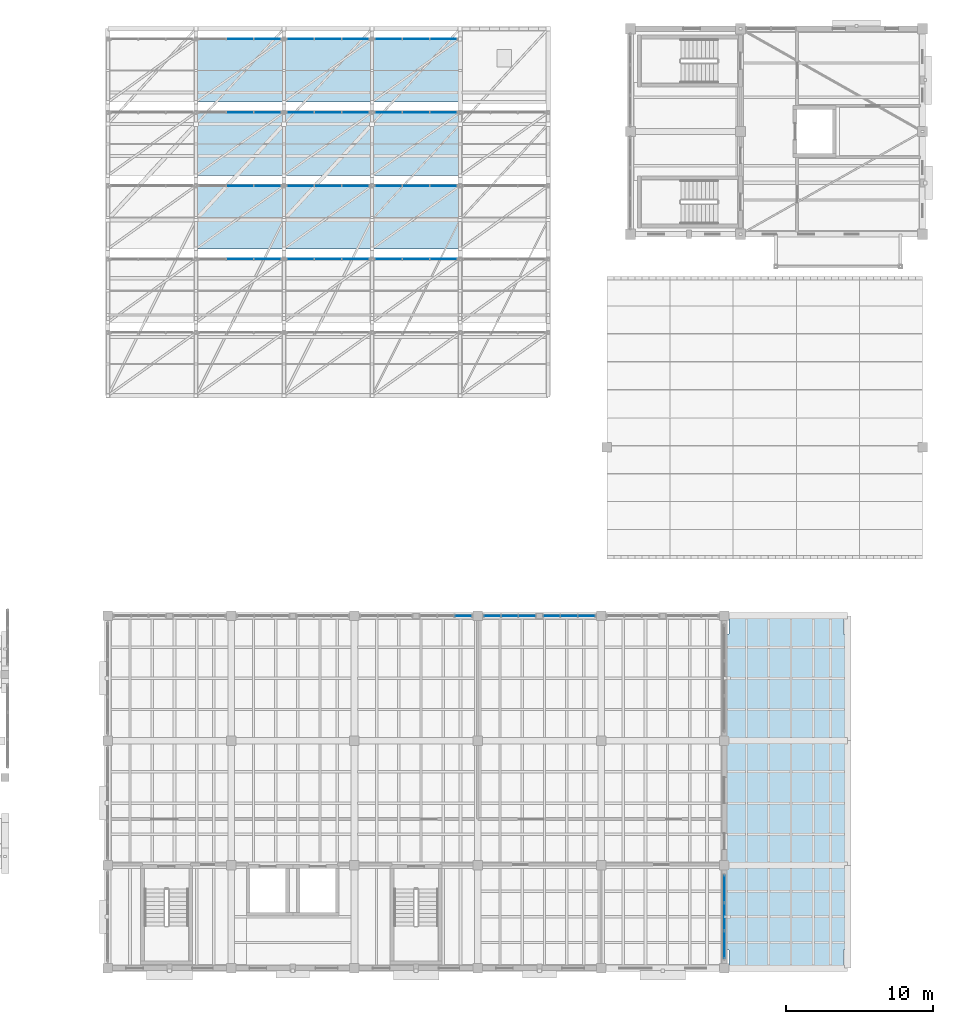
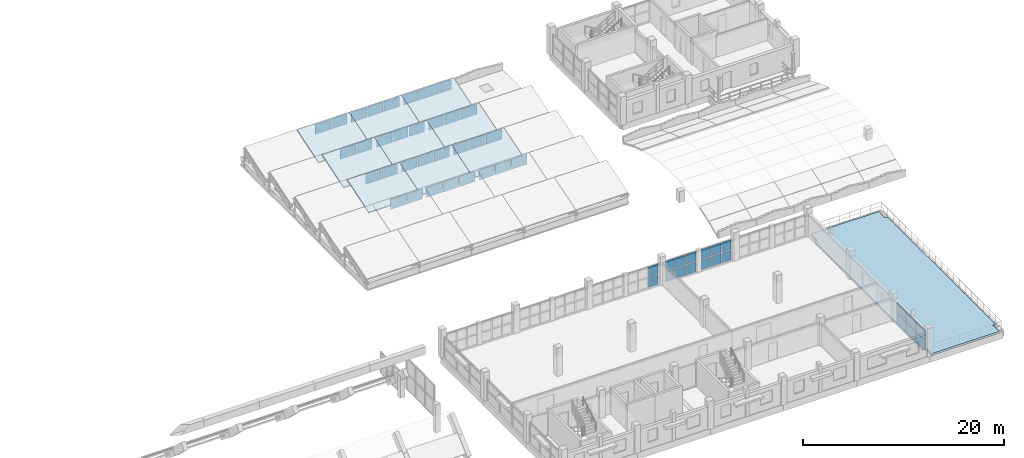
# One storey, part 27 of 48: 52 plates, 10 slabs, 16 elements without a shape of their own.
"""IFC4 building model written with IfcOpenShell, lengths in metres."""

from ifc_helpers import new_model, si_unit, direction, frame, origin, origin_2d, place, context, subcontext, project, spatial, polyline, rectangle, outline, extrude, material, layer, layer_set, type_object, element, aggregate, save


model = new_model("IFC4")

# Units and contexts
model_context = context("Model", 3, precision=1e-05, world=origin(), true_north=direction((0.0, 1.0)))
body_context = subcontext(model_context, "Body", "Model", "MODEL_VIEW")
ifc_project = project(units=[si_unit("LENGTHUNIT", "METRE"), si_unit("AREAUNIT", "SQUARE_METRE"), si_unit("VOLUMEUNIT", "CUBIC_METRE"), si_unit("PLANEANGLEUNIT", "RADIAN"), si_unit("MASSUNIT", "GRAM", prefix="KILO")], contexts=[model_context])

# Site, building, storey
site_placement = place(None, origin())
site = spatial("IfcSite", under=ifc_project, at=site_placement, CompositionType="ELEMENT")
building_placement = place(site_placement, origin())
building = spatial("IfcBuilding", under=site, at=building_placement, Name="Trellovar Central Fire Station", CompositionType="ELEMENT")
storey_placement = place(building_placement, frame((0.0, 0.0, 9.300048828125)))
storey = spatial("IfcBuildingStorey", under=building, at=storey_placement, Name="L03", CompositionType="ELEMENT", Elevation=9.300048828125)

# Curtain wall, plate
ifc_material_1 = material(Name="Thermally broken bronze anodized aluminum", Category="aluminium")
ifc_layer_1 = layer(ifc_material_1, 0.159912109375)
ifc_layer_set_1 = layer_set([ifc_layer_1], Name="Thermally broken bronze anodized aluminum")
curtain_wall_type_1 = type_object("IfcCurtainWallType", Name="CW-09", PredefinedType="NOTDEFINED", material=ifc_layer_set_1)
curtain_wall_1_placement = place(storey_placement, origin())
curtain_wall_1 = element("IfcCurtainWall", 1, at=curtain_wall_1_placement, inside=storey, type_object=curtain_wall_type_1, Name="L03 curtain wall CW-9", PredefinedType="NOTDEFINED")
ifc_material_2 = material(Name="Double low-E solar control insulated glazing", Category="glass")
ifc_layer_2 = layer(ifc_material_2, 0.031982421875)
ifc_layer_set_2 = layer_set([ifc_layer_2], Name="Double low-E solar control insulated glazing")
plate_type_1 = type_object("IfcPlateType", Name="CWP-GL1", PredefinedType="CURTAIN_PANEL", material=ifc_layer_set_2)
plate_1_placement = place(storey_placement, frame((136.925048828125, 33.0, 1.31494140625), z_axis=(0.0, 0.0, 1.0), x_axis=(-1.0, 0.0, 0.0)))
plate_1 = element("IfcPlate", 2, at=plate_1_placement, type_object=plate_type_1, Name="CW3-L03-0082 panel 2-2", PredefinedType="CURTAIN_PANEL", context=body_context, shape_type="SweptSolid", body=[
    extrude(rectangle(XDim=1.103515625, YDim=0.031982421875, at=origin_2d()), origin(), (0.0, 0.0, 1.0), 1.195068359375),
])

ifc_material_3 = material(Name="Thermally broken bronze anodized aluminum", Category="aluminium")
ifc_layer_3 = layer(ifc_material_3, 0.159912109375)
ifc_layer_set_3 = layer_set([ifc_layer_3], Name="Thermally broken bronze anodized aluminum")
curtain_wall_type_2 = type_object("IfcCurtainWallType", Name="CW-10", PredefinedType="NOTDEFINED", material=ifc_layer_set_3)
curtain_wall_2_placement = place(storey_placement, origin())
curtain_wall_2 = element("IfcCurtainWall", 3, at=curtain_wall_2_placement, inside=storey, type_object=curtain_wall_type_2, Name="L03 curtain wall CW-10", PredefinedType="NOTDEFINED")
plate_2_placement = place(storey_placement, frame((134.058349609375, 33.0, 1.31494140625), z_axis=(0.0, 0.0, 1.0), x_axis=(-1.0, 0.0, 0.0)))
plate_2 = element("IfcPlate", 4, at=plate_2_placement, type_object=plate_type_1, Name="CW3-L03-0083 panel 1-2", PredefinedType="CURTAIN_PANEL", context=body_context, shape_type="SweptSolid", body=[
    extrude(rectangle(XDim=1.103271484375, YDim=0.031982421875, at=origin_2d()), origin(), (0.0, 0.0, 1.0), 1.195068359375),
])

ifc_material_4 = material(Name="Thermally broken bronze anodized aluminum", Category="aluminium")
ifc_layer_4 = layer(ifc_material_4, 0.159912109375)
ifc_layer_set_4 = layer_set([ifc_layer_4], Name="Thermally broken bronze anodized aluminum")
curtain_wall_type_3 = type_object("IfcCurtainWallType", Name="CW-01", PredefinedType="NOTDEFINED", material=ifc_layer_set_4)
curtain_wall_3_placement = place(storey_placement, origin())
curtain_wall_3 = element("IfcCurtainWall", 5, at=curtain_wall_3_placement, inside=storey, type_object=curtain_wall_type_3, Name="L03 curtain wall CW-1", PredefinedType="NOTDEFINED")
plate_3_placement = place(storey_placement, frame((147.5, 14.39990234375, 1.31494140625), z_axis=(0.0, 0.0, 1.0), x_axis=(0.0, 1.0, 0.0)))
plate_3 = element("IfcPlate", 6, at=plate_3_placement, type_object=plate_type_1, Name="CW3-L03-0089 panel 3-2", PredefinedType="CURTAIN_PANEL", context=body_context, shape_type="SweptSolid", body=[
    extrude(rectangle(XDim=1.820068359375, YDim=0.031982421875, at=origin_2d()), origin(), (0.0, 0.0, 1.0), 1.195068359375),
])

ifc_material_5 = material(Name="Thermally broken bronze anodized aluminum", Category="aluminium")
ifc_layer_5 = layer(ifc_material_5, 0.159912109375)
ifc_layer_set_5 = layer_set([ifc_layer_5], Name="Thermally broken bronze anodized aluminum")
curtain_wall_type_4 = type_object("IfcCurtainWallType", Name="CW-06", PredefinedType="NOTDEFINED", material=ifc_layer_set_5)
curtain_wall_4_placement = place(storey_placement, origin())
curtain_wall_4 = element("IfcCurtainWall", 7, at=curtain_wall_4_placement, inside=storey, type_object=curtain_wall_type_4, Name="V6 sawtooth north-light monitor 2-2", PredefinedType="NOTDEFINED")
plate_4_placement = place(storey_placement, frame((116.36669921875, 57.300048828125, 0.2197265625), z_axis=(0.0, 0.0, 1.0), x_axis=(-1.0, 0.0, 0.0)))
plate_4 = element("IfcPlate", 8, at=plate_4_placement, type_object=plate_type_1, Name="CW3-L03-0116 panel 1-1", PredefinedType="CURTAIN_PANEL", context=body_context, shape_type="SweptSolid", body=[
    extrude(rectangle(XDim=1.78662109375, YDim=0.031982421875, at=origin_2d()), origin(), (0.0, 0.0, 1.0), 1.219970703125),
])

curtain_wall_5_placement = place(storey_placement, origin())
curtain_wall_5 = element("IfcCurtainWall", 9, at=curtain_wall_5_placement, inside=storey, type_object=curtain_wall_type_4, Name="V6 sawtooth north-light monitor 5-2", PredefinedType="NOTDEFINED")
plate_5_placement = place(storey_placement, frame((114.5, 72.300048828125, 0.2197265625), z_axis=(0.0, 0.0, 1.0), x_axis=(-1.0, 0.0, 0.0)))
plate_5 = element("IfcPlate", 10, at=plate_5_placement, type_object=plate_type_1, Name="CW3-L03-0119 panel 2-1", PredefinedType="CURTAIN_PANEL", context=body_context, shape_type="SweptSolid", body=[
    extrude(rectangle(XDim=1.78662109375, YDim=0.031982421875, at=origin_2d()), origin(), (0.0, 0.0, 1.0), 1.219970703125),
])

curtain_wall_6_placement = place(storey_placement, origin())
curtain_wall_6 = element("IfcCurtainWall", 11, at=curtain_wall_6_placement, inside=storey, type_object=curtain_wall_type_4, Name="V6 sawtooth north-light monitor 2-3", PredefinedType="NOTDEFINED")
plate_6_placement = place(storey_placement, frame((122.36669921875, 57.300048828125, 0.2197265625), z_axis=(0.0, 0.0, 1.0), x_axis=(-1.0, 0.0, 0.0)))
plate_6 = element("IfcPlate", 12, at=plate_6_placement, type_object=plate_type_1, Name="CW3-L03-0124 panel 1-1", PredefinedType="CURTAIN_PANEL", context=body_context, shape_type="SweptSolid", body=[
    extrude(rectangle(XDim=1.78662109375, YDim=0.031982421875, at=origin_2d()), origin(), (0.0, 0.0, 1.0), 1.219970703125),
])

curtain_wall_7_placement = place(storey_placement, origin())
curtain_wall_7 = element("IfcCurtainWall", 13, at=curtain_wall_7_placement, inside=storey, type_object=curtain_wall_type_4, Name="V6 sawtooth north-light monitor 4-3", PredefinedType="NOTDEFINED")
plate_7_placement = place(storey_placement, frame((118.63330078125, 67.300048828125, 0.2197265625), z_axis=(0.0, 0.0, 1.0), x_axis=(-1.0, 0.0, 0.0)))
plate_7 = element("IfcPlate", 14, at=plate_7_placement, type_object=plate_type_1, Name="CW3-L03-0126 panel 3-1", PredefinedType="CURTAIN_PANEL", context=body_context, shape_type="SweptSolid", body=[
    extrude(rectangle(XDim=1.78662109375, YDim=0.031982421875, at=origin_2d()), origin(), (0.0, 0.0, 1.0), 1.219970703125),
])

curtain_wall_8_placement = place(storey_placement, origin())
curtain_wall_8 = element("IfcCurtainWall", 15, at=curtain_wall_8_placement, inside=storey, type_object=curtain_wall_type_4, Name="V6 sawtooth north-light monitor 5-3", PredefinedType="NOTDEFINED")
plate_8_placement = place(storey_placement, frame((120.5, 72.300048828125, 0.2197265625), z_axis=(0.0, 0.0, 1.0), x_axis=(-1.0, 0.0, 0.0)))
plate_8 = element("IfcPlate", 16, at=plate_8_placement, type_object=plate_type_1, Name="CW3-L03-0127 panel 2-1", PredefinedType="CURTAIN_PANEL", context=body_context, shape_type="SweptSolid", body=[
    extrude(rectangle(XDim=1.78662109375, YDim=0.031982421875, at=origin_2d()), origin(), (0.0, 0.0, 1.0), 1.219970703125),
])

curtain_wall_9_placement = place(storey_placement, origin())
curtain_wall_9 = element("IfcCurtainWall", 17, at=curtain_wall_9_placement, inside=storey, type_object=curtain_wall_type_4, Name="V6 sawtooth north-light monitor 2-4", PredefinedType="NOTDEFINED")
plate_9_placement = place(storey_placement, frame((128.36669921875, 57.300048828125, 0.2197265625), z_axis=(0.0, 0.0, 1.0), x_axis=(-1.0, 0.0, 0.0)))
plate_9 = element("IfcPlate", 18, at=plate_9_placement, type_object=plate_type_1, Name="CW3-L03-0132 panel 1-1", PredefinedType="CURTAIN_PANEL", context=body_context, shape_type="SweptSolid", body=[
    extrude(rectangle(XDim=1.78662109375, YDim=0.031982421875, at=origin_2d()), origin(), (0.0, 0.0, 1.0), 1.219970703125),
])

curtain_wall_10_placement = place(storey_placement, origin())
curtain_wall_10 = element("IfcCurtainWall", 19, at=curtain_wall_10_placement, inside=storey, type_object=curtain_wall_type_4, Name="V6 sawtooth north-light monitor 4-4", PredefinedType="NOTDEFINED")
plate_10_placement = place(storey_placement, frame((124.63330078125, 67.300048828125, 0.2197265625), z_axis=(0.0, 0.0, 1.0), x_axis=(-1.0, 0.0, 0.0)))
plate_10 = element("IfcPlate", 20, at=plate_10_placement, type_object=plate_type_1, Name="CW3-L03-0134 panel 3-1", PredefinedType="CURTAIN_PANEL", context=body_context, shape_type="SweptSolid", body=[
    extrude(rectangle(XDim=1.78662109375, YDim=0.031982421875, at=origin_2d()), origin(), (0.0, 0.0, 1.0), 1.219970703125),
])

curtain_wall_11_placement = place(storey_placement, origin())
curtain_wall_11 = element("IfcCurtainWall", 21, at=curtain_wall_11_placement, inside=storey, type_object=curtain_wall_type_4, Name="V6 sawtooth north-light monitor 5-4", PredefinedType="NOTDEFINED")
plate_11_placement = place(storey_placement, frame((126.5, 72.300048828125, 0.2197265625), z_axis=(0.0, 0.0, 1.0), x_axis=(-1.0, 0.0, 0.0)))
plate_11 = element("IfcPlate", 22, at=plate_11_placement, type_object=plate_type_1, Name="CW3-L03-0135 panel 2-1", PredefinedType="CURTAIN_PANEL", context=body_context, shape_type="SweptSolid", body=[
    extrude(rectangle(XDim=1.78662109375, YDim=0.031982421875, at=origin_2d()), origin(), (0.0, 0.0, 1.0), 1.219970703125),
])

curtain_wall_12_placement = place(storey_placement, origin())
curtain_wall_12 = element("IfcCurtainWall", 23, at=curtain_wall_12_placement, inside=storey, type_object=curtain_wall_type_1, Name="L03 curtain wall CW-9", PredefinedType="NOTDEFINED")
ifc_material_6 = material(Name="Double low-E solar control insulated glazing", Category="glass")
ifc_layer_6 = layer(ifc_material_6, 0.035888671875)
ifc_layer_set_6 = layer_set([ifc_layer_6], Name="Double low-E solar control insulated glazing")
plate_type_2 = type_object("IfcPlateType", Name="CWP-GL2", PredefinedType="CURTAIN_PANEL", material=ifc_layer_set_6)
plate_12_placement = place(storey_placement, frame((129.708251953125, 33.0, 1.31494140625), z_axis=(0.0, 0.0, 1.0), x_axis=(-1.0, 0.0, 0.0)))
plate_12 = element("IfcPlate", 24, at=plate_12_placement, type_object=plate_type_2, Name="CW3-L03-0080 panel 1-2", PredefinedType="CURTAIN_PANEL", context=body_context, shape_type="SweptSolid", body=[
    extrude(rectangle(XDim=1.103271484375, YDim=0.035888671875, at=origin_2d()), origin(), (0.0, 0.0, 1.0), 1.195068359375),
])

# Plate
plate_13_placement = place(storey_placement, frame((135.74169921875, 33.0, 1.31494140625), z_axis=(0.0, 0.0, 1.0), x_axis=(-1.0, 0.0, 0.0)))
plate_13 = element("IfcPlate", 25, at=plate_13_placement, type_object=plate_type_2, Name="CW3-L03-0082 panel 3-2", PredefinedType="CURTAIN_PANEL", context=body_context, shape_type="SweptSolid", body=[
    extrude(rectangle(XDim=1.103271484375, YDim=0.035888671875, at=origin_2d()), origin(), (0.0, 0.0, 1.0), 1.195068359375),
])

plate_14_placement = place(storey_placement, frame((132.875, 33.0, 1.31494140625), z_axis=(0.0, 0.0, 1.0), x_axis=(-1.0, 0.0, 0.0)))
plate_14 = element("IfcPlate", 26, at=plate_14_placement, type_object=plate_type_2, Name="CW3-L03-0083 panel 2-2", PredefinedType="CURTAIN_PANEL", context=body_context, shape_type="SweptSolid", body=[
    extrude(rectangle(XDim=1.103515625, YDim=0.035888671875, at=origin_2d()), origin(), (0.0, 0.0, 1.0), 1.195068359375),
])

plate_15_placement = place(storey_placement, frame((114.5, 57.300048828125, 0.2197265625), z_axis=(0.0, 0.0, 1.0), x_axis=(-1.0, 0.0, 0.0)))
plate_15 = element("IfcPlate", 27, at=plate_15_placement, type_object=plate_type_2, Name="CW3-L03-0116 panel 2-1", PredefinedType="CURTAIN_PANEL", context=body_context, shape_type="SweptSolid", body=[
    extrude(rectangle(XDim=1.78662109375, YDim=0.035888671875, at=origin_2d()), origin(), (0.0, 0.0, 1.0), 1.219970703125),
])

aggregate(curtain_wall_4, [plate_4, plate_15])

# Curtain wall, plate
curtain_wall_13_placement = place(storey_placement, origin())
curtain_wall_13 = element("IfcCurtainWall", 28, at=curtain_wall_13_placement, inside=storey, type_object=curtain_wall_type_4, Name="V6 sawtooth north-light monitor 3-2", PredefinedType="NOTDEFINED")
plate_16_placement = place(storey_placement, frame((116.36669921875, 62.300048828125, 0.2197265625), z_axis=(0.0, 0.0, 1.0), x_axis=(-1.0, 0.0, 0.0)))
plate_16 = element("IfcPlate", 29, at=plate_16_placement, type_object=plate_type_2, Name="CW3-L03-0117 panel 1-1", PredefinedType="CURTAIN_PANEL", context=body_context, shape_type="SweptSolid", body=[
    extrude(rectangle(XDim=1.78662109375, YDim=0.035888671875, at=origin_2d()), origin(), (0.0, 0.0, 1.0), 1.219970703125),
])

# Plate
plate_17_placement = place(storey_placement, frame((120.5, 57.300048828125, 0.2197265625), z_axis=(0.0, 0.0, 1.0), x_axis=(-1.0, 0.0, 0.0)))
plate_17 = element("IfcPlate", 30, at=plate_17_placement, type_object=plate_type_2, Name="CW3-L03-0124 panel 2-1", PredefinedType="CURTAIN_PANEL", context=body_context, shape_type="SweptSolid", body=[
    extrude(rectangle(XDim=1.78662109375, YDim=0.035888671875, at=origin_2d()), origin(), (0.0, 0.0, 1.0), 1.219970703125),
])

# Curtain wall, plate
curtain_wall_14_placement = place(storey_placement, origin())
curtain_wall_14 = element("IfcCurtainWall", 31, at=curtain_wall_14_placement, inside=storey, type_object=curtain_wall_type_4, Name="V6 sawtooth north-light monitor 3-3", PredefinedType="NOTDEFINED")
plate_18_placement = place(storey_placement, frame((122.36669921875, 62.300048828125, 0.2197265625), z_axis=(0.0, 0.0, 1.0), x_axis=(-1.0, 0.0, 0.0)))
plate_18 = element("IfcPlate", 32, at=plate_18_placement, type_object=plate_type_2, Name="CW3-L03-0125 panel 1-1", PredefinedType="CURTAIN_PANEL", context=body_context, shape_type="SweptSolid", body=[
    extrude(rectangle(XDim=1.78662109375, YDim=0.035888671875, at=origin_2d()), origin(), (0.0, 0.0, 1.0), 1.219970703125),
])

# Plate
plate_19_placement = place(storey_placement, frame((118.63330078125, 72.300048828125, 0.2197265625), z_axis=(0.0, 0.0, 1.0), x_axis=(-1.0, 0.0, 0.0)))
plate_19 = element("IfcPlate", 33, at=plate_19_placement, type_object=plate_type_2, Name="CW3-L03-0127 panel 3-1", PredefinedType="CURTAIN_PANEL", context=body_context, shape_type="SweptSolid", body=[
    extrude(rectangle(XDim=1.78662109375, YDim=0.035888671875, at=origin_2d()), origin(), (0.0, 0.0, 1.0), 1.219970703125),
])

plate_20_placement = place(storey_placement, frame((126.5, 57.300048828125, 0.2197265625), z_axis=(0.0, 0.0, 1.0), x_axis=(-1.0, 0.0, 0.0)))
plate_20 = element("IfcPlate", 34, at=plate_20_placement, type_object=plate_type_2, Name="CW3-L03-0132 panel 2-1", PredefinedType="CURTAIN_PANEL", context=body_context, shape_type="SweptSolid", body=[
    extrude(rectangle(XDim=1.78662109375, YDim=0.035888671875, at=origin_2d()), origin(), (0.0, 0.0, 1.0), 1.219970703125),
])

# Curtain wall, plate
curtain_wall_15_placement = place(storey_placement, origin())
curtain_wall_15 = element("IfcCurtainWall", 35, at=curtain_wall_15_placement, inside=storey, type_object=curtain_wall_type_4, Name="V6 sawtooth north-light monitor 3-4", PredefinedType="NOTDEFINED")
plate_21_placement = place(storey_placement, frame((128.36669921875, 62.300048828125, 0.2197265625), z_axis=(0.0, 0.0, 1.0), x_axis=(-1.0, 0.0, 0.0)))
plate_21 = element("IfcPlate", 36, at=plate_21_placement, type_object=plate_type_2, Name="CW3-L03-0133 panel 1-1", PredefinedType="CURTAIN_PANEL", context=body_context, shape_type="SweptSolid", body=[
    extrude(rectangle(XDim=1.78662109375, YDim=0.035888671875, at=origin_2d()), origin(), (0.0, 0.0, 1.0), 1.219970703125),
])

# Plate
plate_22_placement = place(storey_placement, frame((124.63330078125, 72.300048828125, 0.2197265625), z_axis=(0.0, 0.0, 1.0), x_axis=(-1.0, 0.0, 0.0)))
plate_22 = element("IfcPlate", 37, at=plate_22_placement, type_object=plate_type_2, Name="CW3-L03-0135 panel 3-1", PredefinedType="CURTAIN_PANEL", context=body_context, shape_type="SweptSolid", body=[
    extrude(rectangle(XDim=1.78662109375, YDim=0.035888671875, at=origin_2d()), origin(), (0.0, 0.0, 1.0), 1.219970703125),
])

ifc_material_7 = material(Name="Double low-E solar control insulated glazing", Category="glass")
ifc_layer_7 = layer(ifc_material_7, 0.033935546875)
ifc_layer_set_7 = layer_set([ifc_layer_7], Name="Double low-E solar control insulated glazing")
plate_type_3 = type_object("IfcPlateType", Name="CWP-GL3", PredefinedType="CURTAIN_PANEL", material=ifc_layer_set_7)
plate_23_placement = place(storey_placement, frame((131.691650390625, 33.0, 1.31494140625), z_axis=(0.0, 0.0, 1.0), x_axis=(-1.0, 0.0, 0.0)))
plate_23 = element("IfcPlate", 38, at=plate_23_placement, type_object=plate_type_3, Name="CW3-L03-0083 panel 3-2", PredefinedType="CURTAIN_PANEL", context=body_context, shape_type="SweptSolid", body=[
    extrude(rectangle(XDim=1.103271484375, YDim=0.033935546875, at=origin_2d()), origin(), (0.0, 0.0, 1.0), 1.195068359375),
])

plate_24_placement = place(storey_placement, frame((147.5, 10.60009765625, 1.31494140625), z_axis=(0.0, 0.0, 1.0), x_axis=(0.0, 1.0, 0.0)))
plate_24 = element("IfcPlate", 39, at=plate_24_placement, type_object=plate_type_3, Name="CW3-L03-0089 panel 1-2", PredefinedType="CURTAIN_PANEL", context=body_context, shape_type="SweptSolid", body=[
    extrude(rectangle(XDim=1.820068359375, YDim=0.033935546875, at=origin_2d()), origin(), (0.0, 0.0, 1.0), 1.195068359375),
])

plate_25_placement = place(storey_placement, frame((114.5, 62.300048828125, 0.2197265625), z_axis=(0.0, 0.0, 1.0), x_axis=(-1.0, 0.0, 0.0)))
plate_25 = element("IfcPlate", 40, at=plate_25_placement, type_object=plate_type_3, Name="CW3-L03-0117 panel 2-1", PredefinedType="CURTAIN_PANEL", context=body_context, shape_type="SweptSolid", body=[
    extrude(rectangle(XDim=1.78662109375, YDim=0.033935546875, at=origin_2d()), origin(), (0.0, 0.0, 1.0), 1.219970703125),
])

aggregate(curtain_wall_13, [plate_16, plate_25])

# Curtain wall, plate
curtain_wall_16_placement = place(storey_placement, origin())
curtain_wall_16 = element("IfcCurtainWall", 41, at=curtain_wall_16_placement, inside=storey, type_object=curtain_wall_type_4, Name="V6 sawtooth north-light monitor 4-2", PredefinedType="NOTDEFINED")
plate_26_placement = place(storey_placement, frame((116.36669921875, 67.300048828125, 0.2197265625), z_axis=(0.0, 0.0, 1.0), x_axis=(-1.0, 0.0, 0.0)))
plate_26 = element("IfcPlate", 42, at=plate_26_placement, type_object=plate_type_3, Name="CW3-L03-0118 panel 1-1", PredefinedType="CURTAIN_PANEL", context=body_context, shape_type="SweptSolid", body=[
    extrude(rectangle(XDim=1.78662109375, YDim=0.033935546875, at=origin_2d()), origin(), (0.0, 0.0, 1.0), 1.219970703125),
])

# Plate
plate_27_placement = place(storey_placement, frame((118.63330078125, 57.300048828125, 0.2197265625), z_axis=(0.0, 0.0, 1.0), x_axis=(-1.0, 0.0, 0.0)))
plate_27 = element("IfcPlate", 43, at=plate_27_placement, type_object=plate_type_3, Name="CW3-L03-0124 panel 3-1", PredefinedType="CURTAIN_PANEL", context=body_context, shape_type="SweptSolid", body=[
    extrude(rectangle(XDim=1.78662109375, YDim=0.033935546875, at=origin_2d()), origin(), (0.0, 0.0, 1.0), 1.219970703125),
])

aggregate(curtain_wall_6, [plate_6, plate_17, plate_27])

plate_28_placement = place(storey_placement, frame((120.5, 62.300048828125, 0.2197265625), z_axis=(0.0, 0.0, 1.0), x_axis=(-1.0, 0.0, 0.0)))
plate_28 = element("IfcPlate", 44, at=plate_28_placement, type_object=plate_type_3, Name="CW3-L03-0125 panel 2-1", PredefinedType="CURTAIN_PANEL", context=body_context, shape_type="SweptSolid", body=[
    extrude(rectangle(XDim=1.78662109375, YDim=0.033935546875, at=origin_2d()), origin(), (0.0, 0.0, 1.0), 1.219970703125),
])

plate_29_placement = place(storey_placement, frame((122.36669921875, 67.300048828125, 0.2197265625), z_axis=(0.0, 0.0, 1.0), x_axis=(-1.0, 0.0, 0.0)))
plate_29 = element("IfcPlate", 45, at=plate_29_placement, type_object=plate_type_3, Name="CW3-L03-0126 panel 1-1", PredefinedType="CURTAIN_PANEL", context=body_context, shape_type="SweptSolid", body=[
    extrude(rectangle(XDim=1.78662109375, YDim=0.033935546875, at=origin_2d()), origin(), (0.0, 0.0, 1.0), 1.219970703125),
])

plate_30_placement = place(storey_placement, frame((124.63330078125, 57.300048828125, 0.2197265625), z_axis=(0.0, 0.0, 1.0), x_axis=(-1.0, 0.0, 0.0)))
plate_30 = element("IfcPlate", 46, at=plate_30_placement, type_object=plate_type_3, Name="CW3-L03-0132 panel 3-1", PredefinedType="CURTAIN_PANEL", context=body_context, shape_type="SweptSolid", body=[
    extrude(rectangle(XDim=1.78662109375, YDim=0.033935546875, at=origin_2d()), origin(), (0.0, 0.0, 1.0), 1.219970703125),
])

aggregate(curtain_wall_9, [plate_9, plate_20, plate_30])

plate_31_placement = place(storey_placement, frame((126.5, 62.300048828125, 0.2197265625), z_axis=(0.0, 0.0, 1.0), x_axis=(-1.0, 0.0, 0.0)))
plate_31 = element("IfcPlate", 47, at=plate_31_placement, type_object=plate_type_3, Name="CW3-L03-0133 panel 2-1", PredefinedType="CURTAIN_PANEL", context=body_context, shape_type="SweptSolid", body=[
    extrude(rectangle(XDim=1.78662109375, YDim=0.033935546875, at=origin_2d()), origin(), (0.0, 0.0, 1.0), 1.219970703125),
])

plate_32_placement = place(storey_placement, frame((128.36669921875, 67.300048828125, 0.2197265625), z_axis=(0.0, 0.0, 1.0), x_axis=(-1.0, 0.0, 0.0)))
plate_32 = element("IfcPlate", 48, at=plate_32_placement, type_object=plate_type_3, Name="CW3-L03-0134 panel 1-1", PredefinedType="CURTAIN_PANEL", context=body_context, shape_type="SweptSolid", body=[
    extrude(rectangle(XDim=1.78662109375, YDim=0.033935546875, at=origin_2d()), origin(), (0.0, 0.0, 1.0), 1.219970703125),
])

ifc_material_8 = material(Name="Double low-E solar control insulated glazing", Category="glass")
ifc_layer_8 = layer(ifc_material_8, 0.030029296875)
ifc_layer_set_8 = layer_set([ifc_layer_8], Name="Double low-E solar control insulated glazing")
plate_type_4 = type_object("IfcPlateType", Name="CWP-GL4", PredefinedType="CURTAIN_PANEL", material=ifc_layer_set_8)
plate_33_placement = place(storey_placement, frame((138.1083984375, 33.0, 1.31494140625), z_axis=(0.0, 0.0, 1.0), x_axis=(-1.0, 0.0, 0.0)))
plate_33 = element("IfcPlate", 49, at=plate_33_placement, type_object=plate_type_4, Name="CW3-L03-0082 panel 1-2", PredefinedType="CURTAIN_PANEL", context=body_context, shape_type="SweptSolid", body=[
    extrude(rectangle(XDim=1.103271484375, YDim=0.030029296875, at=origin_2d()), origin(), (0.0, 0.0, 1.0), 1.195068359375),
])

plate_34_placement = place(storey_placement, frame((147.5, 12.5, 1.31494140625), z_axis=(0.0, 0.0, 1.0), x_axis=(0.0, 1.0, 0.0)))
plate_34 = element("IfcPlate", 50, at=plate_34_placement, type_object=plate_type_4, Name="CW3-L03-0089 panel 2-2", PredefinedType="CURTAIN_PANEL", context=body_context, shape_type="SweptSolid", body=[
    extrude(rectangle(XDim=1.820068359375, YDim=0.030029296875, at=origin_2d()), origin(), (0.0, 0.0, 1.0), 1.195068359375),
])

plate_35_placement = place(storey_placement, frame((114.5, 67.300048828125, 0.2197265625), z_axis=(0.0, 0.0, 1.0), x_axis=(-1.0, 0.0, 0.0)))
plate_35 = element("IfcPlate", 51, at=plate_35_placement, type_object=plate_type_4, Name="CW3-L03-0118 panel 2-1", PredefinedType="CURTAIN_PANEL", context=body_context, shape_type="SweptSolid", body=[
    extrude(rectangle(XDim=1.78662109375, YDim=0.030029296875, at=origin_2d()), origin(), (0.0, 0.0, 1.0), 1.219970703125),
])

aggregate(curtain_wall_16, [plate_26, plate_35])

plate_36_placement = place(storey_placement, frame((116.36669921875, 72.300048828125, 0.2197265625), z_axis=(0.0, 0.0, 1.0), x_axis=(-1.0, 0.0, 0.0)))
plate_36 = element("IfcPlate", 52, at=plate_36_placement, type_object=plate_type_4, Name="CW3-L03-0119 panel 1-1", PredefinedType="CURTAIN_PANEL", context=body_context, shape_type="SweptSolid", body=[
    extrude(rectangle(XDim=1.78662109375, YDim=0.030029296875, at=origin_2d()), origin(), (0.0, 0.0, 1.0), 1.219970703125),
])

aggregate(curtain_wall_5, [plate_36, plate_5])

plate_37_placement = place(storey_placement, frame((118.63330078125, 62.300048828125, 0.2197265625), z_axis=(0.0, 0.0, 1.0), x_axis=(-1.0, 0.0, 0.0)))
plate_37 = element("IfcPlate", 53, at=plate_37_placement, type_object=plate_type_4, Name="CW3-L03-0125 panel 3-1", PredefinedType="CURTAIN_PANEL", context=body_context, shape_type="SweptSolid", body=[
    extrude(rectangle(XDim=1.78662109375, YDim=0.030029296875, at=origin_2d()), origin(), (0.0, 0.0, 1.0), 1.219970703125),
])

aggregate(curtain_wall_14, [plate_18, plate_28, plate_37])

plate_38_placement = place(storey_placement, frame((120.5, 67.300048828125, 0.2197265625), z_axis=(0.0, 0.0, 1.0), x_axis=(-1.0, 0.0, 0.0)))
plate_38 = element("IfcPlate", 54, at=plate_38_placement, type_object=plate_type_4, Name="CW3-L03-0126 panel 2-1", PredefinedType="CURTAIN_PANEL", context=body_context, shape_type="SweptSolid", body=[
    extrude(rectangle(XDim=1.78662109375, YDim=0.030029296875, at=origin_2d()), origin(), (0.0, 0.0, 1.0), 1.219970703125),
])

aggregate(curtain_wall_7, [plate_29, plate_38, plate_7])

plate_39_placement = place(storey_placement, frame((122.36669921875, 72.300048828125, 0.2197265625), z_axis=(0.0, 0.0, 1.0), x_axis=(-1.0, 0.0, 0.0)))
plate_39 = element("IfcPlate", 55, at=plate_39_placement, type_object=plate_type_4, Name="CW3-L03-0127 panel 1-1", PredefinedType="CURTAIN_PANEL", context=body_context, shape_type="SweptSolid", body=[
    extrude(rectangle(XDim=1.78662109375, YDim=0.030029296875, at=origin_2d()), origin(), (0.0, 0.0, 1.0), 1.219970703125),
])

aggregate(curtain_wall_8, [plate_39, plate_8, plate_19])

plate_40_placement = place(storey_placement, frame((124.63330078125, 62.300048828125, 0.2197265625), z_axis=(0.0, 0.0, 1.0), x_axis=(-1.0, 0.0, 0.0)))
plate_40 = element("IfcPlate", 56, at=plate_40_placement, type_object=plate_type_4, Name="CW3-L03-0133 panel 3-1", PredefinedType="CURTAIN_PANEL", context=body_context, shape_type="SweptSolid", body=[
    extrude(rectangle(XDim=1.78662109375, YDim=0.030029296875, at=origin_2d()), origin(), (0.0, 0.0, 1.0), 1.219970703125),
])

aggregate(curtain_wall_15, [plate_21, plate_31, plate_40])

plate_41_placement = place(storey_placement, frame((126.5, 67.300048828125, 0.2197265625), z_axis=(0.0, 0.0, 1.0), x_axis=(-1.0, 0.0, 0.0)))
plate_41 = element("IfcPlate", 57, at=plate_41_placement, type_object=plate_type_4, Name="CW3-L03-0134 panel 2-1", PredefinedType="CURTAIN_PANEL", context=body_context, shape_type="SweptSolid", body=[
    extrude(rectangle(XDim=1.78662109375, YDim=0.030029296875, at=origin_2d()), origin(), (0.0, 0.0, 1.0), 1.219970703125),
])

aggregate(curtain_wall_10, [plate_32, plate_41, plate_10])

plate_42_placement = place(storey_placement, frame((128.36669921875, 72.300048828125, 0.2197265625), z_axis=(0.0, 0.0, 1.0), x_axis=(-1.0, 0.0, 0.0)))
plate_42 = element("IfcPlate", 58, at=plate_42_placement, type_object=plate_type_4, Name="CW3-L03-0135 panel 1-1", PredefinedType="CURTAIN_PANEL", context=body_context, shape_type="SweptSolid", body=[
    extrude(rectangle(XDim=1.78662109375, YDim=0.030029296875, at=origin_2d()), origin(), (0.0, 0.0, 1.0), 1.219970703125),
])

aggregate(curtain_wall_11, [plate_42, plate_11, plate_22])

ifc_material_9 = material(Name="Glazed ceramic trencadis and terracotta panel", Category="masonry")
ifc_layer_9 = layer(ifc_material_9, 0.048095703125)
ifc_layer_set_9 = layer_set([ifc_layer_9], Name="Glazed ceramic trencadis and terracotta panel")
plate_type_5 = type_object("IfcPlateType", Name="CWP-SP1", PredefinedType="CURTAIN_PANEL", material=ifc_layer_set_9)
plate_43_placement = place(storey_placement, frame((129.708251953125, 33.0, 0.0400390625), z_axis=(0.0, 0.0, 1.0), x_axis=(-1.0, 0.0, 0.0)))
plate_43 = element("IfcPlate", 59, at=plate_43_placement, type_object=plate_type_5, Name="CW3-L03-0080 panel 1-1", PredefinedType="CURTAIN_PANEL", context=body_context, shape_type="SweptSolid", body=[
    extrude(rectangle(XDim=1.103271484375, YDim=0.048095703125, at=origin_2d()), origin(), (0.0, 0.0, 1.0), 1.195068359375),
])

aggregate(curtain_wall_12, [plate_43, plate_12])

plate_44_placement = place(storey_placement, frame((138.1083984375, 33.0, 0.0400390625), z_axis=(0.0, 0.0, 1.0), x_axis=(-1.0, 0.0, 0.0)))
plate_44 = element("IfcPlate", 60, at=plate_44_placement, type_object=plate_type_5, Name="CW3-L03-0082 panel 1-1", PredefinedType="CURTAIN_PANEL", context=body_context, shape_type="SweptSolid", body=[
    extrude(rectangle(XDim=1.103271484375, YDim=0.048095703125, at=origin_2d()), origin(), (0.0, 0.0, 1.0), 1.195068359375),
])

plate_45_placement = place(storey_placement, frame((135.74169921875, 33.0, 0.0400390625), z_axis=(0.0, 0.0, 1.0), x_axis=(-1.0, 0.0, 0.0)))
plate_45 = element("IfcPlate", 61, at=plate_45_placement, type_object=plate_type_5, Name="CW3-L03-0082 panel 3-1", PredefinedType="CURTAIN_PANEL", context=body_context, shape_type="SweptSolid", body=[
    extrude(rectangle(XDim=1.103271484375, YDim=0.048095703125, at=origin_2d()), origin(), (0.0, 0.0, 1.0), 1.195068359375),
])

plate_46_placement = place(storey_placement, frame((132.875, 33.0, 0.0400390625), z_axis=(0.0, 0.0, 1.0), x_axis=(-1.0, 0.0, 0.0)))
plate_46 = element("IfcPlate", 62, at=plate_46_placement, type_object=plate_type_5, Name="CW3-L03-0083 panel 2-1", PredefinedType="CURTAIN_PANEL", context=body_context, shape_type="SweptSolid", body=[
    extrude(rectangle(XDim=1.103515625, YDim=0.048095703125, at=origin_2d()), origin(), (0.0, 0.0, 1.0), 1.195068359375),
])

plate_47_placement = place(storey_placement, frame((147.5, 12.5, 0.0400390625), z_axis=(0.0, 0.0, 1.0), x_axis=(0.0, 1.0, 0.0)))
plate_47 = element("IfcPlate", 63, at=plate_47_placement, type_object=plate_type_5, Name="CW3-L03-0089 panel 2-1", PredefinedType="CURTAIN_PANEL", context=body_context, shape_type="SweptSolid", body=[
    extrude(rectangle(XDim=1.820068359375, YDim=0.048095703125, at=origin_2d()), origin(), (0.0, 0.0, 1.0), 1.195068359375),
])

ifc_material_10 = material(Name="Glazed ceramic trencadis and terracotta panel", Category="masonry")
ifc_layer_10 = layer(ifc_material_10, 0.044921875)
ifc_layer_set_10 = layer_set([ifc_layer_10], Name="Glazed ceramic trencadis and terracotta panel")
plate_type_6 = type_object("IfcPlateType", Name="CWP-SP2", PredefinedType="CURTAIN_PANEL", material=ifc_layer_set_10)
plate_48_placement = place(storey_placement, frame((136.925048828125, 33.0, 0.0400390625), z_axis=(0.0, 0.0, 1.0), x_axis=(-1.0, 0.0, 0.0)))
plate_48 = element("IfcPlate", 64, at=plate_48_placement, type_object=plate_type_6, Name="CW3-L03-0082 panel 2-1", PredefinedType="CURTAIN_PANEL", context=body_context, shape_type="SweptSolid", body=[
    extrude(rectangle(XDim=1.103515625, YDim=0.044921875, at=origin_2d()), origin(), (0.0, 0.0, 1.0), 1.195068359375),
])

aggregate(curtain_wall_1, [plate_44, plate_33, plate_48, plate_1, plate_45, plate_13])

plate_49_placement = place(storey_placement, frame((134.058349609375, 33.0, 0.0400390625), z_axis=(0.0, 0.0, 1.0), x_axis=(-1.0, 0.0, 0.0)))
plate_49 = element("IfcPlate", 65, at=plate_49_placement, type_object=plate_type_6, Name="CW3-L03-0083 panel 1-1", PredefinedType="CURTAIN_PANEL", context=body_context, shape_type="SweptSolid", body=[
    extrude(rectangle(XDim=1.103271484375, YDim=0.044921875, at=origin_2d()), origin(), (0.0, 0.0, 1.0), 1.195068359375),
])

plate_50_placement = place(storey_placement, frame((131.691650390625, 33.0, 0.0400390625), z_axis=(0.0, 0.0, 1.0), x_axis=(-1.0, 0.0, 0.0)))
plate_50 = element("IfcPlate", 66, at=plate_50_placement, type_object=plate_type_6, Name="CW3-L03-0083 panel 3-1", PredefinedType="CURTAIN_PANEL", context=body_context, shape_type="SweptSolid", body=[
    extrude(rectangle(XDim=1.103271484375, YDim=0.044921875, at=origin_2d()), origin(), (0.0, 0.0, 1.0), 1.195068359375),
])

aggregate(curtain_wall_2, [plate_49, plate_2, plate_46, plate_14, plate_50, plate_23])

plate_51_placement = place(storey_placement, frame((147.5, 10.60009765625, 0.0400390625), z_axis=(0.0, 0.0, 1.0), x_axis=(0.0, 1.0, 0.0)))
plate_51 = element("IfcPlate", 67, at=plate_51_placement, type_object=plate_type_6, Name="CW3-L03-0089 panel 1-1", PredefinedType="CURTAIN_PANEL", context=body_context, shape_type="SweptSolid", body=[
    extrude(rectangle(XDim=1.820068359375, YDim=0.044921875, at=origin_2d()), origin(), (0.0, 0.0, 1.0), 1.195068359375),
])

plate_52_placement = place(storey_placement, frame((147.5, 14.39990234375, 0.0400390625), z_axis=(0.0, 0.0, 1.0), x_axis=(0.0, 1.0, 0.0)))
plate_52 = element("IfcPlate", 68, at=plate_52_placement, type_object=plate_type_6, Name="CW3-L03-0089 panel 3-1", PredefinedType="CURTAIN_PANEL", context=body_context, shape_type="SweptSolid", body=[
    extrude(rectangle(XDim=1.820068359375, YDim=0.044921875, at=origin_2d()), origin(), (0.0, 0.0, 1.0), 1.195068359375),
])

aggregate(curtain_wall_3, [plate_51, plate_24, plate_47, plate_34, plate_52, plate_3])

# Slabs
ifc_material_11 = material(Name="Concrete C40/50", Category="concrete")
ifc_layer_11 = layer(ifc_material_11, 0.1650390625)
ifc_layer_set_11 = layer_set([ifc_layer_11], Name="Concrete C40/50")
slab_type_1 = type_object("IfcSlabType", Name="SLB-SAW165", PredefinedType="ROOF", material=ifc_layer_set_11)
for number, where, z_axis, x_axis, name in (
    (69, (111.5, 58.0, 0.179931640625), (0.0, -0.299554733308, 0.954079117135), (1.0, 0.0, 0.0), "V6 sawtooth roof shell 3-111"),
    (70, (117.5, 58.0, 0.179931640625), (0.0, -0.299554733308, 0.954079117135), (1.0, 0.0, 0.0), "V6 sawtooth roof shell 3-117"),
    (71, (123.5, 58.0, 0.179931640625), (0.0, -0.299554733308, 0.954079117135), (1.0, 0.0, 0.0), "V6 sawtooth roof shell 3-123"),
    (72, (111.5, 63.0, 0.179931640625), (0.0, -0.299554733308, 0.954079117135), (1.0, 0.0, 0.0), "V6 sawtooth roof shell 4-111"),
    (73, (117.5, 63.0, 0.179931640625), (0.0, -0.299554733308, 0.954079117135), (1.0, 0.0, 0.0), "V6 sawtooth roof shell 4-117"),
    (74, (123.5, 63.0, 0.179931640625), (0.0, -0.299554733308, 0.954079117135), (1.0, 0.0, 0.0), "V6 sawtooth roof shell 4-123"),
    (75, (111.5, 68.0, 0.179931640625), (0.0, -0.299554733308, 0.954079117135), (1.0, 0.0, 0.0), "V6 sawtooth roof shell 5-111"),
    (76, (117.5, 68.0, 0.179931640625), (0.0, -0.299554733308, 0.954079117135), (1.0, 0.0, 0.0), "V6 sawtooth roof shell 5-117"),
    (77, (123.5, 68.0, 0.179931640625), (0.0, -0.299554733308, 0.954079117135), (1.0, 0.0, 0.0), "V6 sawtooth roof shell 5-123"),
):
    element("IfcSlab", number, at=place(storey_placement, frame(where, z_axis=z_axis, x_axis=x_axis)), inside=storey, type_object=slab_type_1, Name=name, PredefinedType="ROOF", context=body_context, shape_type="SweptSolid", body=[
        extrude(outline(polyline([(0.0, 0.0), (6.0, 0.0), (6.0, 4.5070149329318765), (0.0, 4.5070149329318765), (0.0, 0.0)])), origin(), (0.0, 0.0, -1.0), 0.1650390625),
    ])
ifc_material_12 = material(Name="Concrete C40/50", Category="concrete")
ifc_layer_12 = layer(ifc_material_12, 0.22998046875)
ifc_layer_set_12 = layer_set([ifc_layer_12], Name="Concrete C40/50")
slab_type_2 = type_object("IfcSlabType", Name="SLB-TER230", PredefinedType="FLOOR", material=ifc_layer_set_12)
slab_placement = place(storey_placement, frame((0.0, 0.0, -0.22998046875)))
element("IfcSlab", 78, at=slab_placement, inside=storey, type_object=slab_type_2, Name="V5 L03 walkable outdoor terrace slab", PredefinedType="FLOOR", context=body_context, shape_type="SweptSolid", body=[
    extrude(outline(polyline([(147.800048828125, 9.0), (155.60009765625, 9.0), (155.60009765625, 10.25), (155.89990234375, 10.25), (155.89990234375, 31.75), (155.60009765625, 31.75), (155.60009765625, 33.0), (147.800048828125, 33.0), (147.800048828125, 31.75), (147.5, 31.75), (147.5, 10.25), (147.800048828125, 10.25), (147.800048828125, 9.0)])), origin(), (0.0, 0.0, 1.0), 0.22998046875),
])

save(model, "model.ifc")
